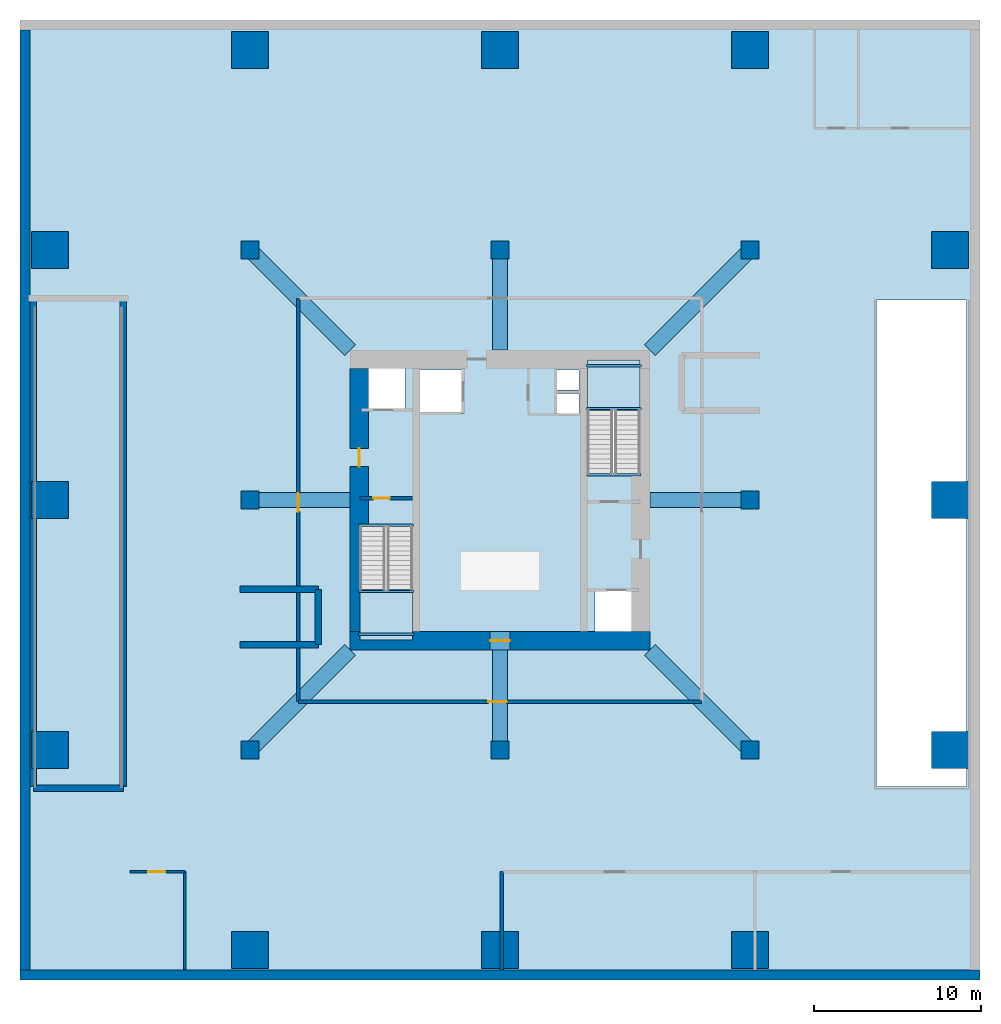
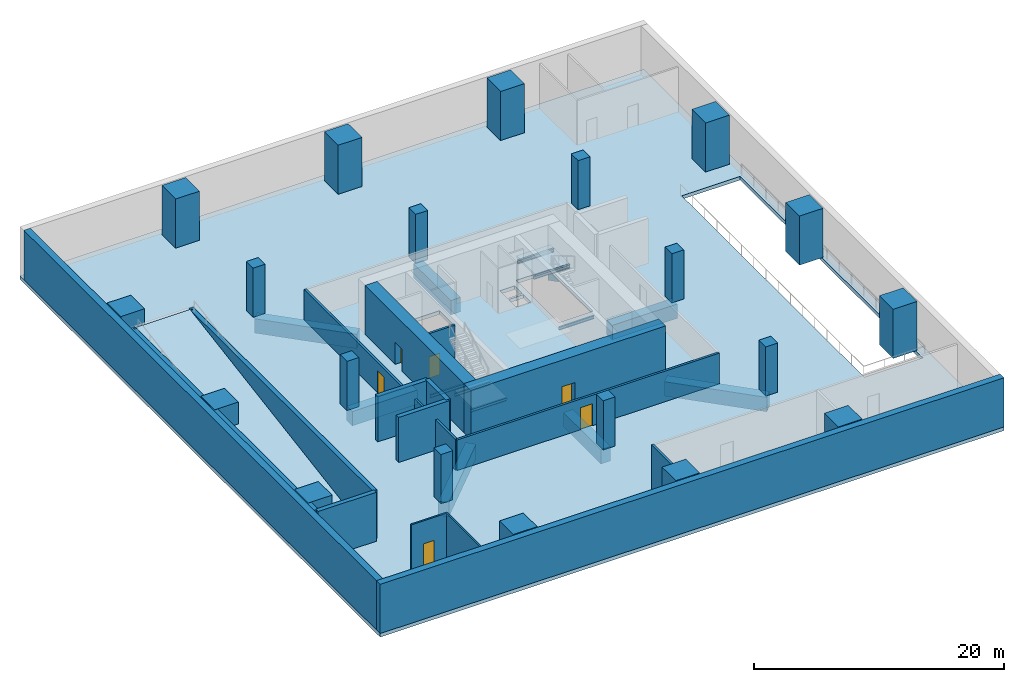
# One storey, part 1 of 6: 20 columns, 16 walls, 14 beams, 6 doors, 4 slabs, 6 openings, 2 elements without a shape of their own.
"""IFC4 building model written with IfcOpenShell, lengths in metres."""

from ifc_helpers import new_model, si_unit, direction, frame, frame_2d, origin, origin_2d, place, context, subcontext, project, spatial, polyline, rectangle, i_section, outline, extrude, material, layer, layer_set, material_profile, profile_set, type_object, element, fill, aggregate, save


model = new_model("IFC4")

# Units and contexts
model_context = context("Model", 3, precision=1e-05, world=origin(), true_north=direction((0.0, 1.0)))
body_context = subcontext(model_context, "Body", "Model", "MODEL_VIEW")
ifc_project = project(units=[si_unit("LENGTHUNIT", "METRE"), si_unit("AREAUNIT", "SQUARE_METRE"), si_unit("VOLUMEUNIT", "CUBIC_METRE"), si_unit("PLANEANGLEUNIT", "RADIAN"), si_unit("MASSUNIT", "GRAM", prefix="KILO")], contexts=[model_context])

# Site, building, storey
site_placement = place(None, origin())
site = spatial("IfcSite", under=ifc_project, at=site_placement, CompositionType="ELEMENT")
building_placement = place(site_placement, origin())
building = spatial("IfcBuilding", under=site, at=building_placement, Name="Belovzor Exchange Tower", CompositionType="ELEMENT")
storey_placement = place(building_placement, frame((0.0, 0.0, -4.800048828125)))
storey = spatial("IfcBuildingStorey", under=building, at=storey_placement, Name="B01", CompositionType="ELEMENT", Elevation=-4.800048828125)

# Columns
ifc_material_1 = material(Name="Concrete C50/60", Category="concrete")
ifc_material_profile_1 = material_profile(ifc_material_1, rectangle(XDim=1.10009765625, YDim=1.10009765625, at=origin_2d()))
ifc_profile_set_1 = profile_set([ifc_material_profile_1], Name="Concrete C50/60")
column_type_1 = type_object("IfcColumnType", Name="Basement Structural Column 1100x1100", PredefinedType="COLUMN", material=ifc_profile_set_1)
for number, where, z_axis, x_axis, name in (
    (1, (13.800048828125, 13.800048828125, 0.001953125), (0.0, 0.0, 1.0), (1.0, 0.0, 0.0), "COL-B110 Basement Structural Column 1100x1100"),
    (2, (28.800048828125, 13.800048828125, 0.001953125), (0.0, 0.0, 1.0), (1.0, 0.0, 0.0), "COL-B110 Basement Structural Column 1100x1100"),
    (3, (43.800048828125, 13.800048828125, 0.001953125), (0.0, 0.0, 1.0), (1.0, 0.0, 0.0), "COL-B110 Basement Structural Column 1100x1100"),
    (4, (13.800048828125, 43.800048828125, 0.001953125), (0.0, 0.0, 1.0), (1.0, 0.0, 0.0), "COL-B110 Basement Structural Column 1100x1100"),
    (5, (28.800048828125, 43.800048828125, 0.001953125), (0.0, 0.0, 1.0), (1.0, 0.0, 0.0), "COL-B110 Basement Structural Column 1100x1100"),
    (6, (43.800048828125, 43.800048828125, 0.001953125), (0.0, 0.0, 1.0), (1.0, 0.0, 0.0), "COL-B110 Basement Structural Column 1100x1100"),
    (7, (13.800048828125, 28.800048828125, 0.001953125), (0.0, 0.0, 1.0), (1.0, 0.0, 0.0), "COL-B110 Basement Structural Column 1100x1100"),
    (8, (43.800048828125, 28.800048828125, 0.001953125), (0.0, 0.0, 1.0), (1.0, 0.0, 0.0), "COL-B110 Basement Structural Column 1100x1100"),
):
    element("IfcColumn", number, at=place(storey_placement, frame(where, z_axis=z_axis, x_axis=x_axis)), inside=storey, type_object=column_type_1, Name=name, PredefinedType="COLUMN", context=body_context, shape_type="SweptSolid", body=[
        extrude(rectangle(XDim=1.10009765625, YDim=1.10009765625, at=origin_2d()), origin(), (0.0, 0.0, 1.0), 4.796142578125),
    ])
ifc_material_2 = material(Name="Concrete C60/75", Category="concrete")
ifc_material_profile_2 = material_profile(ifc_material_2, rectangle(XDim=2.199951171875, YDim=2.199951171875, at=origin_2d()))
ifc_profile_set_2 = profile_set([ifc_material_profile_2], Name="Concrete C60/75")
column_type_2 = type_object("IfcColumnType", Name="Substructure Mega-Pilotis Pedestal Column 2200x2200", PredefinedType="COLUMN", material=ifc_profile_set_2)
for number, where, z_axis, x_axis, name in (
    (9, (13.800048828125, 1.800048828125, 0.001953125), (0.0, 0.0, 1.0), (1.0, 0.0, 0.0), "COL-MP220B Substructure Mega-Pilotis Pedestal Column 2200x2200"),
    (10, (28.800048828125, 1.800048828125, 0.001953125), (0.0, 0.0, 1.0), (1.0, 0.0, 0.0), "COL-MP220B Substructure Mega-Pilotis Pedestal Column 2200x2200"),
    (11, (43.800048828125, 1.800048828125, 0.001953125), (0.0, 0.0, 1.0), (1.0, 0.0, 0.0), "COL-MP220B Substructure Mega-Pilotis Pedestal Column 2200x2200"),
    (12, (55.800048828125, 13.800048828125, 0.001953125), (0.0, 0.0, 1.0), (1.0, 0.0, 0.0), "COL-MP220B Substructure Mega-Pilotis Pedestal Column 2200x2200"),
    (13, (55.800048828125, 28.800048828125, 0.001953125), (0.0, 0.0, 1.0), (1.0, 0.0, 0.0), "COL-MP220B Substructure Mega-Pilotis Pedestal Column 2200x2200"),
    (14, (55.800048828125, 43.800048828125, 0.001953125), (0.0, 0.0, 1.0), (1.0, 0.0, 0.0), "COL-MP220B Substructure Mega-Pilotis Pedestal Column 2200x2200"),
    (15, (43.800048828125, 55.800048828125, 0.001953125), (0.0, 0.0, 1.0), (1.0, 0.0, 0.0), "COL-MP220B Substructure Mega-Pilotis Pedestal Column 2200x2200"),
    (16, (28.800048828125, 55.800048828125, 0.001953125), (0.0, 0.0, 1.0), (1.0, 0.0, 0.0), "COL-MP220B Substructure Mega-Pilotis Pedestal Column 2200x2200"),
    (17, (13.800048828125, 55.800048828125, 0.001953125), (0.0, 0.0, 1.0), (1.0, 0.0, 0.0), "COL-MP220B Substructure Mega-Pilotis Pedestal Column 2200x2200"),
    (18, (1.800048828125, 43.800048828125, 0.001953125), (0.0, 0.0, 1.0), (1.0, 0.0, 0.0), "COL-MP220B Substructure Mega-Pilotis Pedestal Column 2200x2200"),
    (19, (1.800048828125, 28.800048828125, 0.001953125), (0.0, 0.0, 1.0), (1.0, 0.0, 0.0), "COL-MP220B Substructure Mega-Pilotis Pedestal Column 2200x2200"),
    (20, (1.800048828125, 13.800048828125, 0.001953125), (0.0, 0.0, 1.0), (1.0, 0.0, 0.0), "COL-MP220B Substructure Mega-Pilotis Pedestal Column 2200x2200"),
):
    element("IfcColumn", number, at=place(storey_placement, frame(where, z_axis=z_axis, x_axis=x_axis)), inside=storey, type_object=column_type_2, Name=name, PredefinedType="COLUMN", context=body_context, shape_type="SweptSolid", body=[
        extrude(rectangle(XDim=2.199951171875, YDim=2.199951171875, at=origin_2d()), origin(), (0.0, 0.0, 1.0), 4.796142578125),
    ])

# Beams
ifc_material_3 = material(Name="Concrete C50/60", Category="concrete")
ifc_material_profile_3 = material_profile(ifc_material_3, rectangle(XDim=0.89990234375, YDim=1.39990234375, at=origin_2d()))
ifc_profile_set_3 = profile_set([ifc_material_profile_3], Name="Concrete C50/60")
beam_type_1 = type_object("IfcBeamType", Name="Reinforced Concrete Basement Tie Girder 900x1400", PredefinedType="BEAM", material=ifc_profile_set_3)
for number, where, z_axis, x_axis, name in (
    (21, (13.800048828125, 13.800048828125, -1.050048828125), (0.707106781187, 0.707106781187, 0.0), (-0.707106781187, 0.707106781187, 0.0), "BG-1 Reinforced Concrete Basement Tie Girder 900x1400"),
    (22, (43.800048828125, 13.800048828125, -1.050048828125), (-0.707106781187, 0.707106781187, 0.0), (-0.707106781187, -0.707106781187, 0.0), "BG-1 Reinforced Concrete Basement Tie Girder 900x1400"),
    (23, (43.800048828125, 43.800048828125, -1.050048828125), (-0.707106781187, -0.707106781187, 0.0), (0.707106781187, -0.707106781187, 0.0), "BG-1 Reinforced Concrete Basement Tie Girder 900x1400"),
    (24, (13.800048828125, 43.800048828125, -1.050048828125), (0.707106781187, -0.707106781187, 0.0), (0.707106781187, 0.707106781187, 0.0), "BG-1 Reinforced Concrete Basement Tie Girder 900x1400"),
):
    element("IfcBeam", number, at=place(storey_placement, frame(where, z_axis=z_axis, x_axis=x_axis)), inside=storey, type_object=beam_type_1, Name=name, PredefinedType="BEAM", context=body_context, shape_type="SweptSolid", body=[
        extrude(rectangle(XDim=0.89990234375, YDim=1.39990234375, at=origin_2d()), origin(), (0.0, 0.0, 1.0), 8.4853515625),
    ])
for number, where, z_axis, x_axis, name in (
    (25, (28.800048828125, 13.800048828125, -1.050048828125), (0.0, 1.0, 0.0), (-1.0, 0.0, 0.0), "BG-1 Reinforced Concrete Basement Tie Girder 900x1400"),
    (26, (28.800048828125, 43.800048828125, -1.050048828125), (0.0, -1.0, 0.0), (1.0, 0.0, 0.0), "BG-1 Reinforced Concrete Basement Tie Girder 900x1400"),
    (27, (13.800048828125, 28.800048828125, -1.050048828125), (1.0, 0.0, 0.0), (0.0, 1.0, 0.0), "BG-1 Reinforced Concrete Basement Tie Girder 900x1400"),
    (28, (43.800048828125, 28.800048828125, -1.050048828125), (-1.0, 0.0, 0.0), (0.0, -1.0, 0.0), "BG-1 Reinforced Concrete Basement Tie Girder 900x1400"),
):
    element("IfcBeam", number, at=place(storey_placement, frame(where, z_axis=z_axis, x_axis=x_axis)), inside=storey, type_object=beam_type_1, Name=name, PredefinedType="BEAM", context=body_context, shape_type="SweptSolid", body=[
        extrude(rectangle(XDim=0.89990234375, YDim=1.39990234375, at=origin_2d()), origin(), (0.0, 0.0, 1.0), 6.0),
    ])
ifc_material_4 = material(Name="Steel S355", Category="steel")
ifc_material_profile_4 = material_profile(ifc_material_4, i_section(OverallWidth=0.14990234375, OverallDepth=0.300048828125, WebThickness=0.007080078125, FlangeThickness=0.0107421875, at=origin_2d()))
ifc_profile_set_4 = profile_set([ifc_material_profile_4], Name="Steel S355")
beam_type_2 = type_object("IfcBeamType", Name="Secondary Trim Floor Joist IPE 300", PredefinedType="BEAM", material=ifc_profile_set_4)
for number, where, z_axis, x_axis, name in (
    (29, (20.320068359375, 23.31005859375, 2.050048828125), (1.0, 0.0, 0.0), (0.0, 1.0, 0.0), "FJ-300 Secondary Trim Floor Joist IPE 300"),
    (30, (20.320068359375, 20.75, 2.050048828125), (1.0, 0.0, 0.0), (0.0, 1.0, 0.0), "FJ-300 Secondary Trim Floor Joist IPE 300"),
):
    element("IfcBeam", number, at=place(storey_placement, frame(where, z_axis=z_axis, x_axis=x_axis)), inside=storey, type_object=beam_type_2, Name=name, PredefinedType="BEAM", context=body_context, shape_type="SweptSolid", body=[
        extrude(i_section(OverallWidth=0.14990234375, OverallDepth=0.300048828125, WebThickness=0.007080078125, FlangeThickness=0.0107421875, at=origin_2d()), origin(), (0.0, 0.0, 1.0), 3.309814453125),
    ])
beam_1_placement = place(storey_placement, frame((20.340087890625, 27.280029296875, -0.5), z_axis=(1.0, 0.0, 0.0), x_axis=(0.0, 1.0, 0.0)))
element("IfcBeam", 31, at=beam_1_placement, inside=storey, type_object=beam_type_2, Name="FJ-300 Secondary Trim Floor Joist IPE 300", PredefinedType="BEAM", context=body_context, shape_type="SweptSolid", body=[
    extrude(i_section(OverallWidth=0.14990234375, OverallDepth=0.300048828125, WebThickness=0.007080078125, FlangeThickness=0.0107421875, at=origin_2d()), origin(), (0.0, 0.0, 1.0), 3.27001953125),
])
for number, where, z_axis, x_axis, name in (
    (32, (37.280029296875, 34.2900390625, 2.050048828125), (-1.0, 0.0, 0.0), (0.0, -1.0, 0.0), "FJ-300 Secondary Trim Floor Joist IPE 300"),
    (33, (37.280029296875, 36.85009765625, 2.050048828125), (-1.0, 0.0, 0.0), (0.0, -1.0, 0.0), "FJ-300 Secondary Trim Floor Joist IPE 300"),
):
    element("IfcBeam", number, at=place(storey_placement, frame(where, z_axis=z_axis, x_axis=x_axis)), inside=storey, type_object=beam_type_2, Name=name, PredefinedType="BEAM", context=body_context, shape_type="SweptSolid", body=[
        extrude(i_section(OverallWidth=0.14990234375, OverallDepth=0.300048828125, WebThickness=0.007080078125, FlangeThickness=0.0107421875, at=origin_2d()), origin(), (0.0, 0.0, 1.0), 3.31005859375),
    ])
beam_2_placement = place(storey_placement, frame((37.260009765625, 30.320068359375, -0.5), z_axis=(-1.0, 0.0, 0.0), x_axis=(0.0, -1.0, 0.0)))
element("IfcBeam", 34, at=beam_2_placement, inside=storey, type_object=beam_type_2, Name="FJ-300 Secondary Trim Floor Joist IPE 300", PredefinedType="BEAM", context=body_context, shape_type="SweptSolid", body=[
    extrude(i_section(OverallWidth=0.14990234375, OverallDepth=0.300048828125, WebThickness=0.007080078125, FlangeThickness=0.0107421875, at=origin_2d()), origin(), (0.0, 0.0, 1.0), 3.27001953125),
])

# Slabs
ifc_material_5 = material(Name="Concrete C50/60", Category="concrete")
ifc_layer_1 = layer(ifc_material_5, 0.320068359375)
ifc_layer_set_1 = layer_set([ifc_layer_1], Name="Concrete C50/60")
slab_type_1 = type_object("IfcSlabType", Name="Heated Reinforced Concrete Vehicle Ramp Slab 320", PredefinedType="FLOOR", material=ifc_layer_set_1)
slab_1_placement = place(storey_placement, frame((0.800048828125, 11.60009765625, 0.0), z_axis=(0.0, -0.162208471042, 0.98675651096), x_axis=(1.0, 0.0, 0.0)))
element("IfcSlab", 35, at=slab_1_placement, inside=storey, type_object=slab_type_1, Name="SL-RMP320 Vehicle Car Park Ramp B01", PredefinedType="FLOOR", context=body_context, shape_type="SweptSolid", body=[
    extrude(outline(polyline([(0.0, 0.0), (5.39990234375, 0.0), (5.39990234375, 29.591850519902742), (0.0, 29.591850519902742), (0.0, 0.0)])), origin(), (0.0, 0.0, -1.0), 0.320068359375),
])
ifc_material_6 = material(Name="Concrete C50/60", Category="concrete")
ifc_layer_2 = layer(ifc_material_6, 0.35009765625)
ifc_layer_set_2 = layer_set([ifc_layer_2], Name="Concrete C50/60")
slab_type_2 = type_object("IfcSlabType", Name="Reinforced Concrete Basement Suspended Slab 350", PredefinedType="FLOOR", material=ifc_layer_set_2)
slab_2_placement = place(storey_placement, frame((0.0, 0.0, -0.349853515625)))
element("IfcSlab", 36, at=slab_2_placement, inside=storey, type_object=slab_type_2, Name="SL-F350B Structural Slab B01", PredefinedType="FLOOR", context=body_context, shape_type="SweptSolid", body=[
    extrude(outline(polyline([(0.0, 0.0), (57.60009765625, 0.0), (57.60009765625, 57.60009765625), (0.0, 57.60009765625), (0.0, 0.0)]), holes=[polyline([(20.39990234375, 27.175048828125), (20.39990234375, 20.39990234375), (23.550048828125, 20.39990234375), (23.550048828125, 27.175048828125), (20.39990234375, 27.175048828125)]), polyline([(37.199951171875, 30.425048828125), (37.199951171875, 37.199951171875), (34.050048828125, 37.199951171875), (34.050048828125, 30.425048828125), (37.199951171875, 30.425048828125)]), polyline([(20.5, 34.199951171875), (23.10009765625, 34.199951171875), (23.10009765625, 37.0), (20.5, 37.0), (20.5, 34.199951171875)]), polyline([(34.5, 20.60009765625), (37.10009765625, 20.60009765625), (37.10009765625, 23.39990234375), (34.5, 23.39990234375), (34.5, 20.60009765625)]), polyline([(24.0, 34.0), (26.60009765625, 34.0), (26.60009765625, 36.60009765625), (24.0, 36.60009765625), (24.0, 34.0)]), polyline([(32.199951171875, 34.0), (33.550048828125, 34.0), (33.550048828125, 35.199951171875), (32.199951171875, 35.199951171875), (32.199951171875, 34.0)]), polyline([(32.199951171875, 35.39990234375), (33.550048828125, 35.39990234375), (33.550048828125, 36.60009765625), (32.199951171875, 36.60009765625), (32.199951171875, 35.39990234375)]), polyline([(51.39990234375, 11.60009765625), (56.800048828125, 11.60009765625), (56.800048828125, 40.800048828125), (51.39990234375, 40.800048828125), (51.39990234375, 11.60009765625)]), polyline([(0.800048828125, 11.60009765625), (6.199951171875, 11.60009765625), (6.199951171875, 13.800048828125), (0.800048828125, 13.800048828125), (0.800048828125, 11.60009765625)])]), origin(), (0.0, 0.0, 1.0), 0.349853515625),
])

# Stair, slab
ifc_material_7 = material(Name="Concrete C40/50", Category="concrete")
stair_type = type_object("IfcStairType", Name="Reinforced Concrete Dogleg Escape Stair 1350", PredefinedType="HALF_TURN_STAIR", material=ifc_material_7)
stair_1_placement = place(storey_placement, origin())
stair_1 = element("IfcStair", 37, at=stair_1_placement, inside=storey, type_object=stair_type, Name="B01 ST-1", PredefinedType="HALF_TURN_STAIR")
ifc_material_8 = material(Name="Concrete C40/50", Category="concrete")
ifc_layer_3 = layer(ifc_material_8, 0.199951171875)
ifc_layer_set_3 = layer_set([ifc_layer_3], Name="Concrete C40/50")
slab_type_3 = type_object("IfcSlabType", Name="Reinforced Concrete Stair Half-Landing Slab 200", PredefinedType="LANDING", material=ifc_layer_set_3)
slab_3_placement = place(storey_placement, frame((0.0, 0.0, 2.199951171875)))
slab_3 = element("IfcSlab", 38, at=slab_3_placement, type_object=slab_type_3, Name="ST-1 landing 1", PredefinedType="LANDING", context=body_context, shape_type="SweptSolid", body=[
    extrude(outline(polyline([(20.39990234375, 23.429931640625), (20.39990234375, 20.39990234375), (23.550048828125, 20.39990234375), (23.550048828125, 23.429931640625), (20.39990234375, 23.429931640625)])), origin(), (0.0, 0.0, 1.0), 0.2001953125),
])
aggregate(stair_1, [slab_3])

stair_2_placement = place(storey_placement, origin())
stair_2 = element("IfcStair", 39, at=stair_2_placement, inside=storey, type_object=stair_type, Name="B01 ST-2", PredefinedType="HALF_TURN_STAIR")
slab_4_placement = place(storey_placement, frame((0.0, 0.0, 2.199951171875)))
slab_4 = element("IfcSlab", 40, at=slab_4_placement, type_object=slab_type_3, Name="ST-2 landing 1", PredefinedType="LANDING", context=body_context, shape_type="SweptSolid", body=[
    extrude(outline(polyline([(37.199951171875, 34.169921875), (37.199951171875, 37.199951171875), (34.050048828125, 37.199951171875), (34.050048828125, 34.169921875), (37.199951171875, 34.169921875)])), origin(), (0.0, 0.0, 1.0), 0.2001953125),
])
aggregate(stair_2, [slab_4])

# Wall
ifc_material_9 = material(Name="Fire-Rated Gypsum Block and Mineral Wool", Category="gypsum")
ifc_layer_4 = layer(ifc_material_9, 0.14990234375)
ifc_layer_set_4 = layer_set([ifc_layer_4], Name="Fire-Rated Gypsum Block and Mineral Wool")
wall_type_1 = type_object("IfcWallType", Name="Fire-Rated Gypsum Block Corridor Wall 150", PredefinedType="PARTITIONING", material=ifc_layer_set_4)
wall_1_placement = place(storey_placement, frame((9.89990234375, 0.60009765625, 0.0), z_axis=(0.0, 0.0, 1.0), x_axis=(0.0, 1.0, 0.0)))
element("IfcWall", 41, at=wall_1_placement, inside=storey, type_object=wall_type_1, Name="W-P150 Partition Wall W-B01-CYCE", PredefinedType="PARTITIONING", context=body_context, shape_type="SweptSolid", body=[
    extrude(rectangle(XDim=5.89990234375, YDim=0.14990234375, at=frame_2d((2.949951171875, 0.0))), origin(), (0.0, 0.0, 1.0), 4.400146484375),
])

# Wall, opening, door
wall_2_placement = place(storey_placement, frame((6.60009765625, 6.5, 0.0), z_axis=(0.0, 0.0, 1.0), x_axis=(1.0, 0.0, 0.0)))
wall_2 = element("IfcWall", 42, at=wall_2_placement, inside=storey, type_object=wall_type_1, Name="W-P150 Partition Wall W-B01-CYCN", PredefinedType="PARTITIONING", context=body_context, shape_type="SweptSolid", body=[
    extrude(rectangle(XDim=3.2998046875, YDim=0.14990234375, at=frame_2d((1.64990234375, 0.0))), origin(), (0.0, 0.0, 1.0), 4.400146484375),
])
opening_1_placement = place(wall_2_placement, frame((1.10009765625, 0.0, 0.0)))
opening_1 = element("IfcOpeningElement", 43, at=opening_1_placement, cuts=wall_2, Name="Opening D-FD60-105", PredefinedType="OPENING", context=body_context, shape_type="SweptSolid", body=[
    extrude(rectangle(XDim=1.0, YDim=2.14990234375, at=frame_2d((0.5, 1.074951171875))), frame((0.0, 0.0849609375, 0.0), z_axis=(0.0, -1.0, 0.0), x_axis=(1.0, 0.0, 0.0)), (0.0, 0.0, 1.0), 0.169921875),
])
ifc_material_10 = material(Name="Acoustic Timber Fire Leaf", Category="wood")
door_type_1 = type_object("IfcDoorType", Name="Podium Gallery Acoustic Fire Door 1000x2150", OperationType="NOTDEFINED", PredefinedType="DOOR", material=ifc_material_10)
door_1_placement = place(opening_1_placement, origin())
door_1 = element("IfcDoor", 44, at=door_1_placement, inside=storey, type_object=door_type_1, Name="D-FD60-105 Podium Gallery Acoustic Fire Door 1000x2150", OperationType="SINGLE_SWING_LEFT", OverallHeight=2.14990234375, OverallWidth=1.0, PredefinedType="DOOR", context=body_context, shape_type="SweptSolid", body=[
    extrude(rectangle(XDim=1.0, YDim=2.14990234375, at=frame_2d((0.5, 1.074951171875))), frame((0.0, 0.02490234375, 0.0), z_axis=(0.0, -1.0, 0.0), x_axis=(1.0, 0.0, 0.0)), (0.0, 0.0, 1.0), 0.050048828125),
])
fill(opening_1, door_1)

# Walls
ifc_material_11 = material(Name="Concrete C50/60", Category="concrete")
ifc_layer_5 = layer(ifc_material_11, 0.60009765625)
ifc_layer_set_5 = layer_set([ifc_layer_5], Name="Concrete C50/60")
wall_type_2 = type_object("IfcWallType", Name="Reinforced Concrete Basement Diaphragm Retaining Wall 600", PredefinedType="SOLIDWALL", material=ifc_layer_set_5)
wall_3_placement = place(storey_placement, frame((0.0, 0.300048828125, 0.0), z_axis=(0.0, 0.0, 1.0), x_axis=(1.0, 0.0, 0.0)))
element("IfcWall", 45, at=wall_3_placement, inside=storey, type_object=wall_type_2, Name="DW-060 Basement Diaphragm Wall B01 S", PredefinedType="SOLIDWALL", context=body_context, shape_type="SweptSolid", body=[
    extrude(rectangle(XDim=57.60009765625, YDim=0.60009765625, at=frame_2d((28.800048828125, 0.0))), origin(), (0.0, 0.0, 1.0), 4.800048828125),
])
wall_4_placement = place(storey_placement, frame((0.300048828125, 0.60009765625, 0.0), z_axis=(0.0, 0.0, 1.0), x_axis=(0.0, 1.0, 0.0)))
element("IfcWall", 46, at=wall_4_placement, inside=storey, type_object=wall_type_2, Name="DW-060 Basement Diaphragm Wall B01 W", PredefinedType="SOLIDWALL", context=body_context, shape_type="SweptSolid", body=[
    extrude(rectangle(XDim=56.39990234375, YDim=0.60009765625, at=frame_2d((28.199951171875, 0.0))), origin(), (0.0, 0.0, 1.0), 4.800048828125),
])

# Wall, opening, door
ifc_material_12 = material(Name="Concrete C40/50", Category="concrete")
ifc_layer_6 = layer(ifc_material_12, 0.199951171875)
ifc_layer_set_6 = layer_set([ifc_layer_6], Name="Concrete C40/50")
wall_type_3 = type_object("IfcWallType", Name="Reinforced Concrete Compartment Wall 200", PredefinedType="PARTITIONING", material=ifc_layer_set_6)
wall_5_placement = place(storey_placement, frame((16.699951171875, 16.699951171875, 0.0), z_axis=(0.0, 0.0, 1.0), x_axis=(1.0, 0.0, 0.0)))
wall_5 = element("IfcWall", 47, at=wall_5_placement, inside=storey, type_object=wall_type_3, Name="W-C200 Partition Wall W-B01-CS", PredefinedType="PARTITIONING", context=body_context, shape_type="SweptSolid", body=[
    extrude(rectangle(XDim=24.199951171875, YDim=0.199951171875, at=frame_2d((12.10009765625, 0.0))), origin(), (0.0, 0.0, 1.0), 2.985107421875),
])
opening_2_placement = place(wall_5_placement, frame((11.39990234375, 0.0, 0.0)))
opening_2 = element("IfcOpeningElement", 48, at=opening_2_placement, cuts=wall_5, Name="Opening D-FD90-110", PredefinedType="OPENING", context=body_context, shape_type="SweptSolid", body=[
    extrude(rectangle(XDim=1.10009765625, YDim=2.14990234375, at=frame_2d((0.550048828125, 1.074951171875))), frame((0.0, 0.10986328125, 0.0), z_axis=(0.0, -1.0, 0.0), x_axis=(1.0, 0.0, 0.0)), (0.0, 0.0, 1.0), 0.219970703125),
])
ifc_material_13 = material(Name="Fire-Rated Galvanised Steel Leaf", Category="steel")
door_type_2 = type_object("IfcDoorType", Name="Protected Escape Vestibule Fire Door 1100x2150", OperationType="NOTDEFINED", PredefinedType="DOOR", material=ifc_material_13)
door_2_placement = place(opening_2_placement, origin())
door_2 = element("IfcDoor", 49, at=door_2_placement, inside=storey, type_object=door_type_2, Name="D-FD90-110 Protected Escape Vestibule Fire Door 1100x2150", OperationType="SINGLE_SWING_LEFT", OverallHeight=2.14990234375, OverallWidth=1.10009765625, PredefinedType="DOOR", context=body_context, shape_type="SweptSolid", body=[
    extrude(rectangle(XDim=1.10009765625, YDim=2.14990234375, at=frame_2d((0.550048828125, 1.074951171875))), frame((0.0, 0.02490234375, 0.0), z_axis=(0.0, -1.0, 0.0), x_axis=(1.0, 0.0, 0.0)), (0.0, 0.0, 1.0), 0.050048828125),
])
fill(opening_2, door_2)

wall_6_placement = place(storey_placement, frame((16.699951171875, 16.699951171875, 0.0), z_axis=(0.0, 0.0, 1.0), x_axis=(0.0, 1.0, 0.0)))
wall_6 = element("IfcWall", 50, at=wall_6_placement, inside=storey, type_object=wall_type_3, Name="W-C200 Partition Wall W-B01-VW", PredefinedType="PARTITIONING", context=body_context, shape_type="SweptSolid", body=[
    extrude(rectangle(XDim=24.199951171875, YDim=0.199951171875, at=frame_2d((12.10009765625, 0.0))), origin(), (0.0, 0.0, 1.0), 2.985107421875),
])
opening_3_placement = place(wall_6_placement, frame((11.39990234375, 0.0, 0.0)))
opening_3 = element("IfcOpeningElement", 51, at=opening_3_placement, cuts=wall_6, Name="Opening D-FD90-110", PredefinedType="OPENING", context=body_context, shape_type="SweptSolid", body=[
    extrude(rectangle(XDim=1.10009765625, YDim=2.14990234375, at=frame_2d((0.550048828125, 1.074951171875))), frame((0.0, 0.10986328125, 0.0), z_axis=(0.0, -1.0, 0.0), x_axis=(1.0, 0.0, 0.0)), (0.0, 0.0, 1.0), 0.219970703125),
])
door_3_placement = place(opening_3_placement, origin())
door_3 = element("IfcDoor", 52, at=door_3_placement, inside=storey, type_object=door_type_2, Name="D-FD90-110 Protected Escape Vestibule Fire Door 1100x2150", OperationType="SINGLE_SWING_LEFT", OverallHeight=2.14990234375, OverallWidth=1.10009765625, PredefinedType="DOOR", context=body_context, shape_type="SweptSolid", body=[
    extrude(rectangle(XDim=1.10009765625, YDim=2.14990234375, at=frame_2d((0.550048828125, 1.074951171875))), frame((0.0, 0.02490234375, 0.0), z_axis=(0.0, -1.0, 0.0), x_axis=(1.0, 0.0, 0.0)), (0.0, 0.0, 1.0), 0.050048828125),
])
fill(opening_3, door_3)

# Walls
wall_7_placement = place(storey_placement, frame((28.89990234375, 0.60009765625, 0.0), z_axis=(0.0, 0.0, 1.0), x_axis=(0.0, 1.0, 0.0)))
element("IfcWall", 53, at=wall_7_placement, inside=storey, type_object=wall_type_3, Name="W-C200 Partition Wall W-B01-LD-S", PredefinedType="PARTITIONING", context=body_context, shape_type="SweptSolid", body=[
    extrude(rectangle(XDim=5.89990234375, YDim=0.199951171875, at=frame_2d((2.949951171875, 0.0))), origin(), (0.0, 0.0, 1.0), 4.400146484375),
])
ifc_material_14 = material(Name="Concrete C50/60", Category="concrete")
ifc_layer_7 = layer(ifc_material_14, 0.39990234375)
ifc_layer_set_7 = layer_set([ifc_layer_7], Name="Concrete C50/60")
wall_type_4 = type_object("IfcWallType", Name="Reinforced Concrete Core Internal Web Wall 400", PredefinedType="SHEAR", material=ifc_layer_set_7)
for number, where, z_axis, x_axis, name in (
    (54, (0.800048828125, 11.60009765625, 0.0), (0.0, 0.0, 1.0), (0.0, 1.0, 0.0), "CW-W040 Vehicle Ramp Support Wall RWALL-B01-W1"),
    (55, (6.199951171875, 11.60009765625, 0.0), (0.0, 0.0, 1.0), (0.0, 1.0, 0.0), "CW-W040 Vehicle Ramp Support Wall RWALL-B01-W2"),
):
    element("IfcWall", number, at=place(storey_placement, frame(where, z_axis=z_axis, x_axis=x_axis)), inside=storey, type_object=wall_type_4, Name=name, PredefinedType="SHEAR", context=body_context, shape_type="SweptSolid", body=[
        extrude(rectangle(XDim=29.39990234375, YDim=0.39990234375, at=frame_2d((14.699951171875, 0.0))), origin(), (0.0, 0.0, 1.0), 4.780029296875),
    ])
wall_8_placement = place(storey_placement, frame((0.800048828125, 11.5, 0.0), z_axis=(0.0, 0.0, 1.0), x_axis=(1.0, 0.0, 0.0)))
element("IfcWall", 56, at=wall_8_placement, inside=storey, type_object=wall_type_4, Name="CW-W040 Vehicle Ramp Support Wall RWALL-B01-WS", PredefinedType="SHEAR", context=body_context, shape_type="SweptSolid", body=[
    extrude(rectangle(XDim=5.39990234375, YDim=0.39990234375, at=frame_2d((2.699951171875, 0.0))), origin(), (0.0, 0.0, 1.0), 4.780029296875),
])
for number, where, z_axis, x_axis, name in (
    (57, (13.199951171875, 20.114990234375, 0.001953125), (0.0, 0.0, 1.0), (1.0, 0.0, 0.0), "CW-W040 Vehicle Ramp Support Wall SWALL-B01-ST3S"),
    (58, (13.199951171875, 23.43505859375, 0.001953125), (0.0, 0.0, 1.0), (1.0, 0.0, 0.0), "CW-W040 Vehicle Ramp Support Wall SWALL-B01-ST3N"),
):
    element("IfcWall", number, at=place(storey_placement, frame(where, z_axis=z_axis, x_axis=x_axis)), inside=storey, type_object=wall_type_4, Name=name, PredefinedType="SHEAR", context=body_context, shape_type="SweptSolid", body=[
        extrude(rectangle(XDim=4.699951171875, YDim=0.39990234375, at=frame_2d((2.35009765625, 0.0))), origin(), (0.0, 0.0, 1.0), 4.39599609375),
    ])
wall_9_placement = place(storey_placement, frame((17.885009765625, 20.114990234375, 0.001953125), z_axis=(0.0, 0.0, 1.0), x_axis=(0.0, 1.0, 0.0)))
element("IfcWall", 59, at=wall_9_placement, inside=storey, type_object=wall_type_4, Name="CW-W040 Vehicle Ramp Support Wall SWALL-B01-ST3E", PredefinedType="SHEAR", context=body_context, shape_type="SweptSolid", body=[
    extrude(rectangle(XDim=3.320068359375, YDim=0.39990234375, at=frame_2d((1.66015625, 0.0))), origin(), (0.0, 0.0, 1.0), 4.39599609375),
])

# Wall, opening, door
ifc_material_15 = material(Name="Concrete C50/60", Category="concrete")
ifc_layer_8 = layer(ifc_material_15, 0.199951171875)
ifc_layer_set_8 = layer_set([ifc_layer_8], Name="Concrete C50/60")
wall_type_5 = type_object("IfcWallType", Name="Reinforced Concrete Core Shaft Shear Wall 200", PredefinedType="SHEAR", material=ifc_layer_set_8)
wall_10_placement = place(storey_placement, frame((20.39990234375, 28.89990234375, 0.0), z_axis=(0.0, 0.0, 1.0), x_axis=(1.0, 0.0, 0.0)))
wall_10 = element("IfcWall", 60, at=wall_10_placement, inside=storey, type_object=wall_type_5, Name="W-C200S Core Shaft Wall W-CORE-B01-FFLW1", PredefinedType="SHEAR", context=body_context, shape_type="SweptSolid", body=[
    extrude(rectangle(XDim=3.150146484375, YDim=0.199951171875, at=frame_2d((1.5751953125, 0.0))), origin(), (0.0, 0.0, 1.0), 4.400146484375),
])
opening_4_placement = place(wall_10_placement, frame((0.800048828125, 0.0, 0.0)))
opening_4 = element("IfcOpeningElement", 61, at=opening_4_placement, cuts=wall_10, Name="Opening D-FD90-100", PredefinedType="OPENING", context=body_context, shape_type="SweptSolid", body=[
    extrude(rectangle(XDim=1.0, YDim=2.10009765625, at=frame_2d((0.5, 1.050048828125))), frame((0.0, 0.10986328125, 0.0), z_axis=(0.0, -1.0, 0.0), x_axis=(1.0, 0.0, 0.0)), (0.0, 0.0, 1.0), 0.219970703125),
])
ifc_material_16 = material(Name="Fire-Rated Galvanised Steel Leaf", Category="steel")
door_type_3 = type_object("IfcDoorType", Name="Protected Stairwell Single Fire Door 1000x2100", OperationType="NOTDEFINED", PredefinedType="DOOR", material=ifc_material_16)
door_4_placement = place(opening_4_placement, origin())
door_4 = element("IfcDoor", 62, at=door_4_placement, inside=storey, type_object=door_type_3, Name="D-FD90-100 Protected Stairwell Single Fire Door 1000x2100", OperationType="SINGLE_SWING_RIGHT", OverallHeight=2.10009765625, OverallWidth=1.0, PredefinedType="DOOR", context=body_context, shape_type="SweptSolid", body=[
    extrude(rectangle(XDim=1.0, YDim=2.10009765625, at=frame_2d((0.5, 1.050048828125))), frame((0.0, 0.02490234375, 0.0), z_axis=(0.0, -1.0, 0.0), x_axis=(1.0, 0.0, 0.0)), (0.0, 0.0, 1.0), 0.050048828125),
])
fill(opening_4, door_4)

ifc_material_17 = material(Name="Concrete C60/75", Category="concrete")
ifc_layer_9 = layer(ifc_material_17, 1.10009765625)
ifc_layer_set_9 = layer_set([ifc_layer_9], Name="Concrete C60/75")
wall_type_6 = type_object("IfcWallType", Name="Reinforced Concrete Core Shear Wall 1100", PredefinedType="SHEAR", material=ifc_layer_set_9)
wall_11_placement = place(storey_placement, frame((19.800048828125, 20.35009765625, 0.0), z_axis=(0.0, 0.0, 1.0), x_axis=(1.0, 0.0, 0.0)))
wall_11 = element("IfcWall", 63, at=wall_11_placement, inside=storey, type_object=wall_type_6, Name="CW-S110 Core Shear Wall B01 S", PredefinedType="SHEAR", context=body_context, shape_type="SweptSolid", body=[
    extrude(rectangle(XDim=18.0, YDim=1.10009765625, at=frame_2d((9.0, 0.0))), origin(), (0.0, 0.0, 1.0), 4.800048828125),
])
opening_5_placement = place(wall_11_placement, frame((8.39990234375, 0.0, 0.0)))
opening_5 = element("IfcOpeningElement", 64, at=opening_5_placement, cuts=wall_11, Name="Opening D-FD90-120", PredefinedType="OPENING", context=body_context, shape_type="SweptSolid", body=[
    extrude(rectangle(XDim=1.199951171875, YDim=2.199951171875, at=frame_2d((0.60009765625, 1.10009765625))), frame((0.0, 0.56005859375, 0.0), z_axis=(0.0, -1.0, 0.0), x_axis=(1.0, 0.0, 0.0)), (0.0, 0.0, 1.0), 1.1201171875),
])
ifc_material_18 = material(Name="Fire-Rated Galvanised Steel Leaf", Category="steel")
door_type_4 = type_object("IfcDoorType", Name="Heavy Plant & Foyer Fire Door 1200x2200", OperationType="NOTDEFINED", PredefinedType="DOOR", material=ifc_material_18)
door_5_placement = place(opening_5_placement, origin())
door_5 = element("IfcDoor", 65, at=door_5_placement, inside=storey, type_object=door_type_4, Name="D-FD90-120 Heavy Plant & Foyer Fire Door 1200x2200", OperationType="SINGLE_SWING_LEFT", OverallHeight=2.199951171875, OverallWidth=1.199951171875, PredefinedType="DOOR", context=body_context, shape_type="SweptSolid", body=[
    extrude(rectangle(XDim=1.199951171875, YDim=2.199951171875, at=frame_2d((0.60009765625, 1.10009765625))), frame((0.0, 0.02490234375, 0.0), z_axis=(0.0, -1.0, 0.0), x_axis=(1.0, 0.0, 0.0)), (0.0, 0.0, 1.0), 0.050048828125),
])
fill(opening_5, door_5)

wall_12_placement = place(storey_placement, frame((20.35009765625, 20.89990234375, 0.0), z_axis=(0.0, 0.0, 1.0), x_axis=(0.0, 1.0, 0.0)))
wall_12 = element("IfcWall", 66, at=wall_12_placement, inside=storey, type_object=wall_type_6, Name="CW-S110 Core Shear Wall B01 W", PredefinedType="SHEAR", context=body_context, shape_type="SweptSolid", body=[
    extrude(rectangle(XDim=15.800048828125, YDim=1.10009765625, at=frame_2d((7.89990234375, 0.0))), origin(), (0.0, 0.0, 1.0), 4.800048828125),
])
opening_6_placement = place(wall_12_placement, frame((9.89990234375, 0.0, 0.0)))
opening_6 = element("IfcOpeningElement", 67, at=opening_6_placement, cuts=wall_12, Name="Opening D-FD90-110", PredefinedType="OPENING", context=body_context, shape_type="SweptSolid", body=[
    extrude(rectangle(XDim=1.10009765625, YDim=2.14990234375, at=frame_2d((0.550048828125, 1.074951171875))), frame((0.0, 0.56005859375, 0.0), z_axis=(0.0, -1.0, 0.0), x_axis=(1.0, 0.0, 0.0)), (0.0, 0.0, 1.0), 1.1201171875),
])
door_6_placement = place(opening_6_placement, origin())
door_6 = element("IfcDoor", 68, at=door_6_placement, inside=storey, type_object=door_type_2, Name="D-FD90-110 Protected Escape Vestibule Fire Door 1100x2150", OperationType="SINGLE_SWING_LEFT", OverallHeight=2.14990234375, OverallWidth=1.10009765625, PredefinedType="DOOR", context=body_context, shape_type="SweptSolid", body=[
    extrude(rectangle(XDim=1.10009765625, YDim=2.14990234375, at=frame_2d((0.550048828125, 1.074951171875))), frame((0.0, 0.02490234375, 0.0), z_axis=(0.0, -1.0, 0.0), x_axis=(1.0, 0.0, 0.0)), (0.0, 0.0, 1.0), 0.050048828125),
])
fill(opening_6, door_6)

save(model, "model.ifc")
